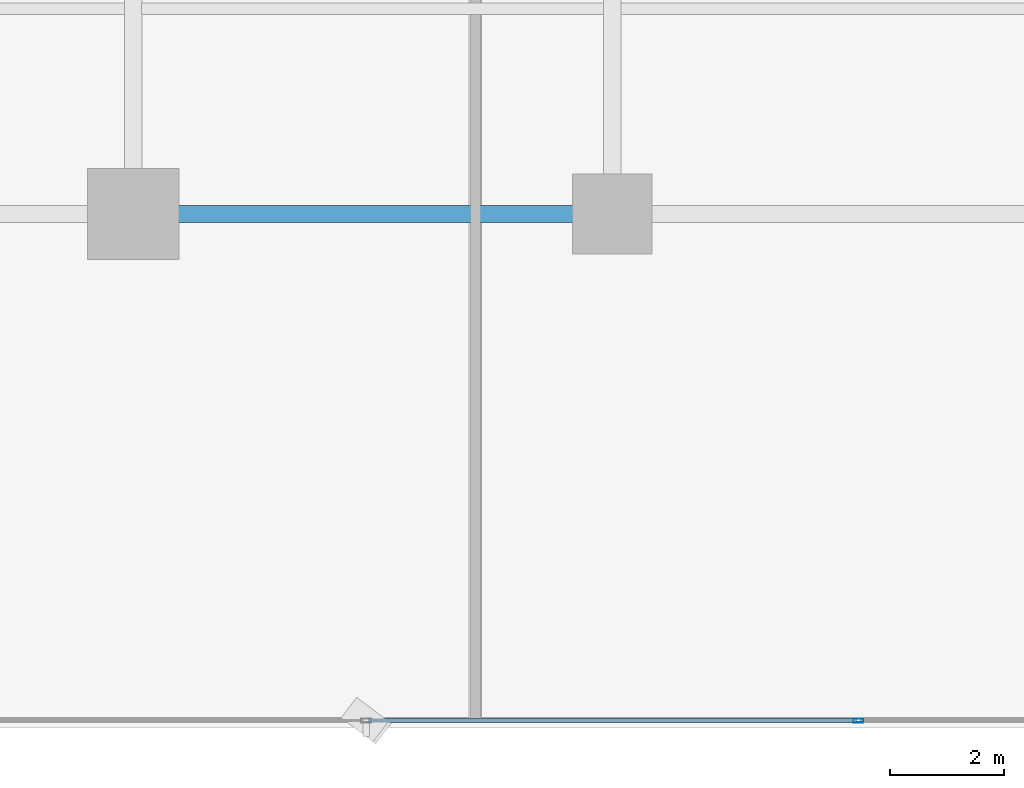
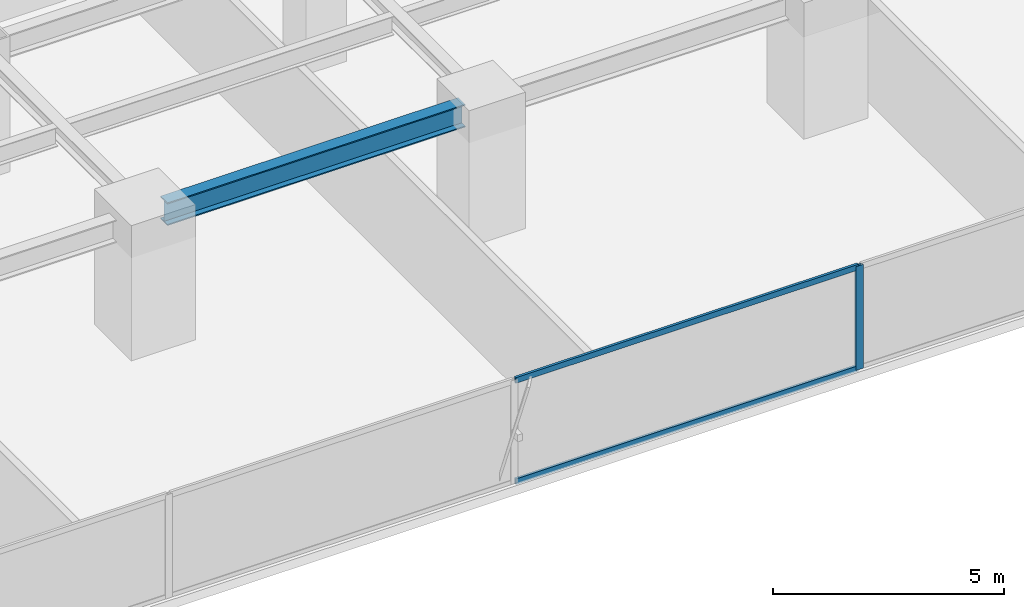
# One storey, part 5 of 33: 3 members, 1 beam, 1 element without a shape of its own.
"""IFC4 building model written with IfcOpenShell, lengths in metres."""

from ifc_helpers import new_model, si_unit, direction, frame, origin, origin_2d, place, context, subcontext, project, spatial, hollow_rectangle, i_section, extrude, source, transform, mapped, material, layer, layer_set, material_profile, profile_set, type_object, element, aggregate, save


model = new_model("IFC4")

# Units and contexts
model_context = context("Model", 3, precision=1e-05, world=origin(), true_north=direction((0.0, 1.0)))
body_context = subcontext(model_context, "Body", "Model", "MODEL_VIEW")
ifc_project = project(units=[si_unit("LENGTHUNIT", "METRE"), si_unit("AREAUNIT", "SQUARE_METRE"), si_unit("VOLUMEUNIT", "CUBIC_METRE"), si_unit("PLANEANGLEUNIT", "RADIAN"), si_unit("MASSUNIT", "GRAM", prefix="KILO")], contexts=[model_context])

# Site, building, storey
site_placement = place(None, origin())
site = spatial("IfcSite", under=ifc_project, at=site_placement, CompositionType="ELEMENT")
building_placement = place(site_placement, origin())
building = spatial("IfcBuilding", under=site, at=building_placement, Name="Sumidabori Civic Tower", CompositionType="ELEMENT")
storey_placement = place(building_placement, frame((0.0, 0.0, 63.199951171875)))
storey = spatial("IfcBuildingStorey", under=building, at=storey_placement, Name="L16", CompositionType="ELEMENT", Elevation=63.199951171875)

# Beam
ifc_material_1 = material(Name="Steel SN490", Category="steel")
ifc_material_profile_1 = material_profile(ifc_material_1, i_section(OverallWidth=0.300048828125, OverallDepth=0.60009765625, WebThickness=0.015380859375, FlangeThickness=0.030029296875, at=origin_2d()), Name="HE 600 B")
ifc_profile_set_1 = profile_set([ifc_material_profile_1], Name="Steel SN490")
beam_type = type_object("IfcBeamType", Name="BM-GIRD-600", PredefinedType="BEAM", material=ifc_profile_set_1)
shared_shape_1 = source(origin(), body_context, "Body", "SweptSolid", [
    extrude(i_section(OverallWidth=0.300048828125, OverallDepth=0.60009765625, WebThickness=0.015380859375, FlangeThickness=0.030029296875, at=origin_2d()), origin(), (0.0, 0.0, 1.0), 7.43994140625),
])
beam_placement = place(storey_placement, frame((-7.919921875, -18.0, 3.06005859375), z_axis=(1.0, 0.0, 0.0), x_axis=(0.0, 1.0, 0.0)))
element("IfcBeam", 1, at=beam_placement, inside=storey, type_object=beam_type, Name="Primary Girder L16 GX-03", PredefinedType="BEAM", context=body_context, shape_type="MappedRepresentation", body=[
    mapped(shared_shape_1, transform((0.0, 0.0, 0.0), x_axis=(1.0, 0.0, 0.0), y_axis=(0.0, 1.0, 0.0), z_axis=(0.0, 0.0, 1.0), scale=1.0)),
])

# Curtain wall, members
ifc_material_2 = material(Name="Anodised Bronze Aluminium AW-6063-T6", Category="aluminium")
ifc_layer = layer(ifc_material_2, 0.179931640625, Name="Anodised Bronze Aluminium AW-6063-T6")
ifc_layer_set = layer_set([ifc_layer], Name="Anodised Bronze Aluminium AW-6063-T6")
curtain_wall_type = type_object("IfcCurtainWallType", Name="CW-SYS-2", PredefinedType="NOTDEFINED", material=ifc_layer_set)
curtain_wall_placement = place(storey_placement, origin())
curtain_wall = element("IfcCurtainWall", 2, at=curtain_wall_placement, inside=storey, type_object=curtain_wall_type, Name="Curtain Wall CW:L16:R01", PredefinedType="NOTDEFINED")
ifc_material_profile_2 = material_profile(ifc_material_2, hollow_rectangle(XDim=0.070068359375, YDim=0.179931640625, WallThickness=0.006103515625, at=origin_2d()), Name="ALU MULLION 180x70")
ifc_profile_set_2 = profile_set([ifc_material_profile_2], Name="Anodised Bronze Aluminium AW-6063-T6")
member_type_1 = type_object("IfcMemberType", Name="CW-MUL-180", PredefinedType="MULLION", material=ifc_profile_set_2)
shared_shape_2 = source(origin(), body_context, "Body", "SweptSolid", [
    extrude(hollow_rectangle(XDim=0.070068359375, YDim=0.179931640625, WallThickness=0.006103515625, at=origin_2d()), origin(), (0.0, 0.0, 1.0), 2.739990234375),
])
member_1_placement = place(storey_placement, frame((4.31396484375, -26.8798828125, 0.0), z_axis=(0.0, 0.0, 1.0), x_axis=(0.0, 1.0, 0.0)))
member_1 = element("IfcMember", 3, at=member_1_placement, type_object=member_type_1, Name="CW-2 mullion 4", PredefinedType="MULLION", context=body_context, shape_type="MappedRepresentation", body=[
    mapped(shared_shape_2, transform((0.0, 0.0, 0.0), x_axis=(1.0, 0.0, 0.0), y_axis=(0.0, 1.0, 0.0), z_axis=(0.0, 0.0, 1.0), scale=1.0)),
])
ifc_material_profile_3 = material_profile(ifc_material_2, hollow_rectangle(XDim=0.06494140625, YDim=0.14990234375, WallThickness=0.0048828125, at=origin_2d()), Name="ALU TRANSOM 150x65")
ifc_profile_set_3 = profile_set([ifc_material_profile_3], Name="Anodised Bronze Aluminium AW-6063-T6")
member_type_2 = type_object("IfcMemberType", Name="CW-TRN-150", PredefinedType="USERDEFINED", material=ifc_profile_set_3)
shared_shape_3 = source(origin(), body_context, "Body", "SweptSolid", [
    extrude(hollow_rectangle(XDim=0.06494140625, YDim=0.14990234375, WallThickness=0.0048828125, at=origin_2d()), origin(), (0.0, 0.0, 1.0), 8.55810546875),
])
member_2_placement = place(storey_placement, frame((-4.279052734375, -26.8798828125, 0.032470703125), z_axis=(1.0, 0.0, 0.0), x_axis=(0.0, 1.0, 0.0)))
member_2 = element("IfcMember", 4, at=member_2_placement, type_object=member_type_2, Name="CW-2 transom 3.1", ObjectType="TRANSOM", PredefinedType="USERDEFINED", context=body_context, shape_type="MappedRepresentation", body=[
    mapped(shared_shape_3, transform((0.0, 0.0, 0.0), x_axis=(1.0, 0.0, 0.0), y_axis=(0.0, 1.0, 0.0), z_axis=(0.0, 0.0, 1.0), scale=1.0)),
])
member_3_placement = place(storey_placement, frame((-4.279052734375, -26.8798828125, 2.70751953125), z_axis=(1.0, 0.0, 0.0), x_axis=(0.0, 1.0, 0.0)))
member_3 = element("IfcMember", 5, at=member_3_placement, type_object=member_type_2, Name="CW-2 transom 3.2", ObjectType="TRANSOM", PredefinedType="USERDEFINED", context=body_context, shape_type="MappedRepresentation", body=[
    mapped(shared_shape_3, transform((0.0, 0.0, 0.0), x_axis=(1.0, 0.0, 0.0), y_axis=(0.0, 1.0, 0.0), z_axis=(0.0, 0.0, 1.0), scale=1.0)),
])
aggregate(curtain_wall, [member_1, member_2, member_3])

save(model, "model.ifc")
